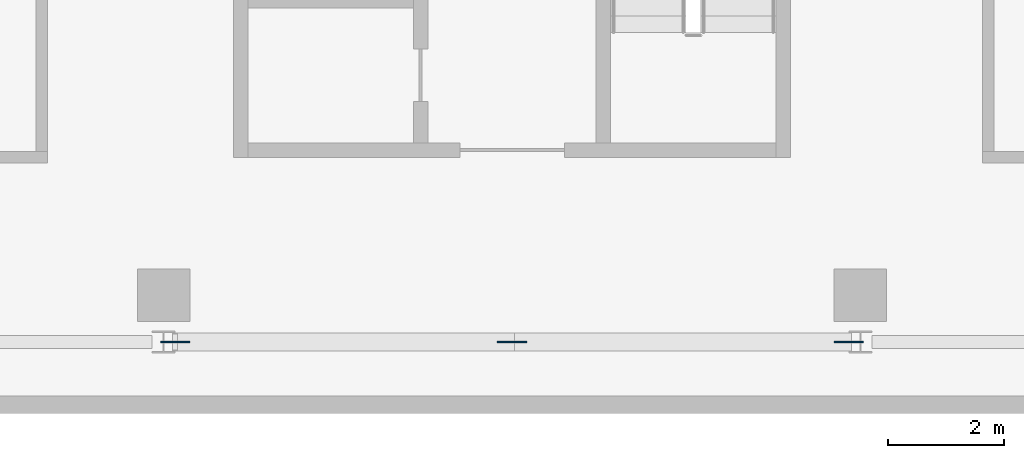
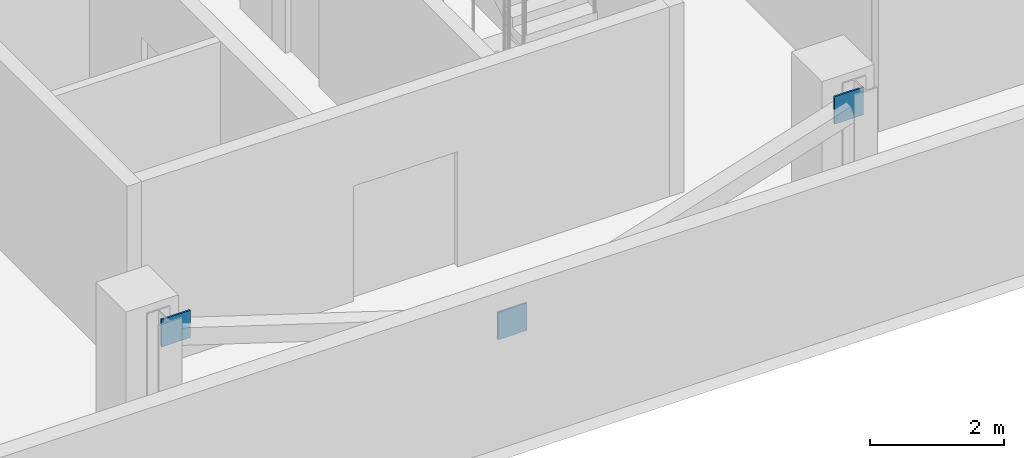
# One storey, part 21 of 28: 3 discrete accessories.
"""IFC4 building model written with IfcOpenShell, lengths in metres."""

from ifc_helpers import new_model, si_unit, direction, frame, origin, origin_2d, place, context, subcontext, project, spatial, rectangle, extrude, material, layer, layer_set, type_object, element, save


model = new_model("IFC4")

# Units and contexts
model_context = context("Model", 3, precision=1e-05, world=origin(), true_north=direction((0.0, 1.0)))
body_context = subcontext(model_context, "Body", "Model", "MODEL_VIEW")
ifc_project = project(units=[si_unit("LENGTHUNIT", "METRE"), si_unit("AREAUNIT", "SQUARE_METRE"), si_unit("VOLUMEUNIT", "CUBIC_METRE"), si_unit("PLANEANGLEUNIT", "RADIAN"), si_unit("MASSUNIT", "GRAM", prefix="KILO")], contexts=[model_context])

# Site, building, storey
site_placement = place(None, origin())
site = spatial("IfcSite", under=ifc_project, at=site_placement, CompositionType="ELEMENT")
building_placement = place(site_placement, origin())
building = spatial("IfcBuilding", under=site, at=building_placement, Name="Mahtab Terrace Research Tower", CompositionType="ELEMENT")
storey_placement = place(building_placement, frame((0.0, 0.0, 270.89990234375)))
storey = spatial("IfcBuildingStorey", under=building, at=storey_placement, Name="L66", CompositionType="ELEMENT", Elevation=270.89990234375)

# Discrete accessories
ifc_material = material(Name="Steel ASTM A992 Gr 50", Category="steel")
ifc_layer = layer(ifc_material, 0.030029296875)
ifc_layer_set = layer_set([ifc_layer], Name="Gusset plate 500x500x30")
discrete_accessory_type = type_object("IfcDiscreteAccessoryType", Name="Gusset plate 500x500x30", PredefinedType="USERDEFINED", material=ifc_layer_set)
for number, where, z_axis, x_axis, name in (
    (1, (-5.802978515625, -12.306884765625, 2.906494140625), (0.0, 0.0, 1.0), (1.0, 0.0, 0.0), "Gusset plate"),
    (2, (0.0, -12.306884765625, 1.006591796875), (0.0, 0.0, 1.0), (1.0, 0.0, 0.0), "Gusset plate"),
    (3, (5.802978515625, -12.306884765625, 2.906494140625), (0.0, 0.0, 1.0), (1.0, 0.0, 0.0), "Gusset plate"),
):
    element("IfcDiscreteAccessory", number, at=place(storey_placement, frame(where, z_axis=z_axis, x_axis=x_axis)), inside=storey, type_object=discrete_accessory_type, Name=name, ObjectType="GUSSET PLATE", PredefinedType="USERDEFINED", context=body_context, shape_type="SweptSolid", body=[
        extrude(rectangle(XDim=0.5, YDim=0.030029296875, at=origin_2d()), origin(), (0.0, 0.0, 1.0), 0.5),
    ])

save(model, "model.ifc")
